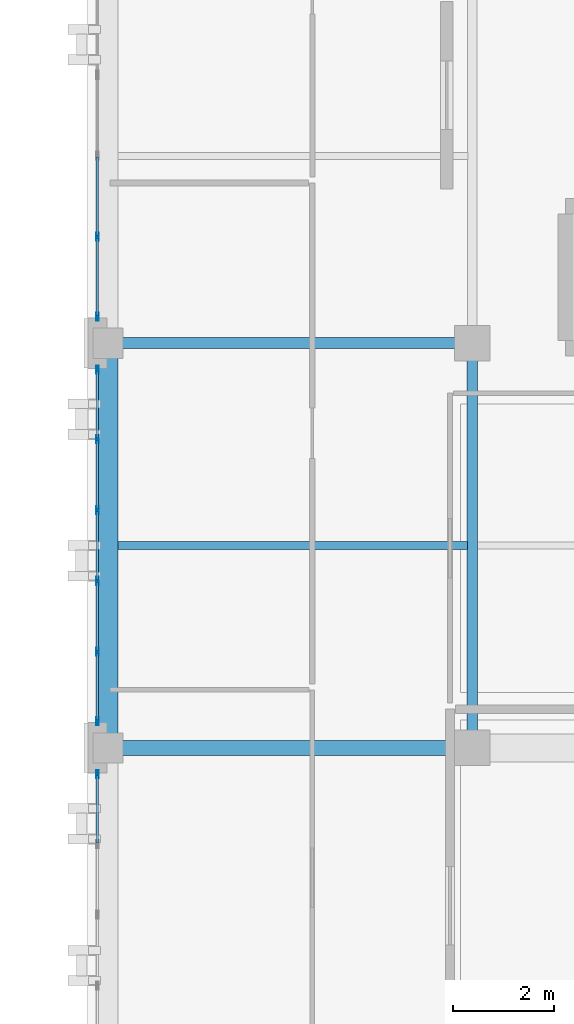
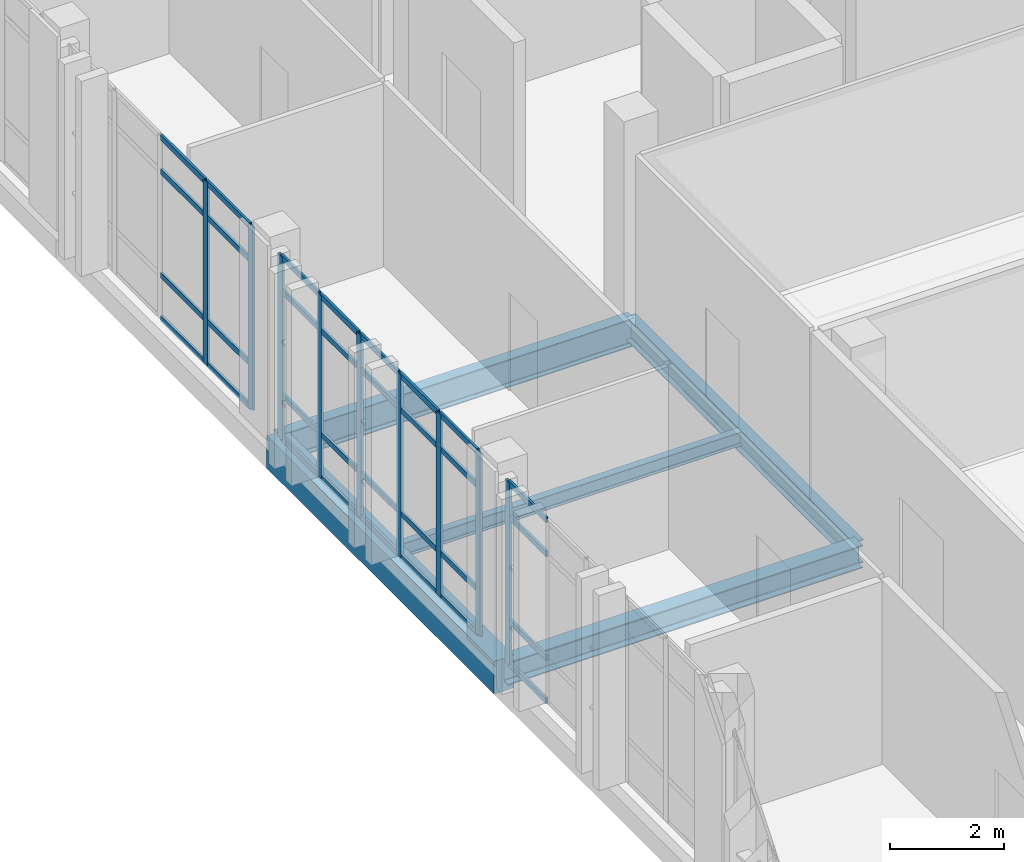
# One storey, part 21 of 90: 41 members, 5 beams, 3 elements without a shape of their own.
"""IFC4 building model written with IfcOpenShell, lengths in metres."""

from ifc_helpers import new_model, si_unit, direction, frame, origin, origin_2d, place, context, subcontext, project, spatial, rectangle, hollow_rectangle, i_section, extrude, material, layer, layer_set, material_profile, profile_set, type_object, element, aggregate, save


model = new_model("IFC4")

# Units and contexts
model_context = context("Model", 3, precision=1e-05, world=origin(), true_north=direction((0.0, 1.0)))
body_context = subcontext(model_context, "Body", "Model", "MODEL_VIEW")
ifc_project = project(units=[si_unit("LENGTHUNIT", "METRE"), si_unit("AREAUNIT", "SQUARE_METRE"), si_unit("VOLUMEUNIT", "CUBIC_METRE"), si_unit("PLANEANGLEUNIT", "RADIAN"), si_unit("MASSUNIT", "GRAM", prefix="KILO")], contexts=[model_context])

# Site, building, storey
site_placement = place(None, origin())
site = spatial("IfcSite", under=ifc_project, at=site_placement, CompositionType="ELEMENT")
building_placement = place(site_placement, origin())
building = spatial("IfcBuilding", under=site, at=building_placement, Name="Qalavern Law Courts", CompositionType="ELEMENT")
storey_placement = place(building_placement, frame((0.0, 0.0, 22.800048828125)))
storey = spatial("IfcBuildingStorey", under=building, at=storey_placement, Name="L05", CompositionType="ELEMENT", Elevation=22.800048828125)

# Curtain wall, members
ifc_material_1 = material(Name="Anodised aluminium and insulated glazing", Category="aluminium")
ifc_layer = layer(ifc_material_1, 0.159912109375)
ifc_layer_set = layer_set([ifc_layer], Name="Anodised aluminium and insulated glazing")
curtain_wall_type = type_object("IfcCurtainWallType", Name="ENV-CW-CHAMB", PredefinedType="USERDEFINED", material=ifc_layer_set)
curtain_wall_1_placement = place(storey_placement, origin())
curtain_wall_1 = element("IfcCurtainWall", 1, at=curtain_wall_1_placement, inside=storey, type_object=curtain_wall_type, Name="V4 unitised curtain wall L05 west 3", ObjectType="UNITISED CURTAIN WALL", PredefinedType="USERDEFINED")
ifc_material_2 = material(Name="Anodised aluminium", Category="aluminium")
ifc_material_profile_1 = material_profile(ifc_material_2, hollow_rectangle(XDim=0.048095703125, YDim=0.159912109375, WallThickness=0.00390625, at=origin_2d()), Name="ALU MULLION 48x160")
ifc_profile_set_1 = profile_set([ifc_material_profile_1], Name="Anodised aluminium")
member_type_1 = type_object("IfcMemberType", Name="ENV-CWM-48x160", PredefinedType="MULLION", material=ifc_profile_set_1)
member_1_placement = place(storey_placement, frame((84.392578125, 67.5, 0.0), z_axis=(0.0, 0.0, 1.0), x_axis=(1.0, 0.0, 0.0)))
member_1 = element("IfcMember", 2, at=member_1_placement, type_object=member_type_1, Name="CW-04 mullion 4", PredefinedType="MULLION", context=body_context, shape_type="SweptSolid", body=[
    extrude(hollow_rectangle(XDim=0.048095703125, YDim=0.159912109375, WallThickness=0.00390625, at=origin_2d()), origin(), (0.0, 0.0, 1.0), 3.929931640625),
])
member_2_placement = place(storey_placement, frame((84.392578125, 65.924072265625, 0.0), z_axis=(0.0, 0.0, 1.0), x_axis=(1.0, 0.0, 0.0)))
member_2 = element("IfcMember", 3, at=member_2_placement, type_object=member_type_1, Name="CW-04 mullion 5", PredefinedType="MULLION", context=body_context, shape_type="SweptSolid", body=[
    extrude(hollow_rectangle(XDim=0.048095703125, YDim=0.159912109375, WallThickness=0.00390625, at=origin_2d()), origin(), (0.0, 0.0, 1.0), 3.929931640625),
])

curtain_wall_2_placement = place(storey_placement, origin())
curtain_wall_2 = element("IfcCurtainWall", 4, at=curtain_wall_2_placement, inside=storey, type_object=curtain_wall_type, Name="V4 unitised curtain wall L05 west 4", ObjectType="UNITISED CURTAIN WALL", PredefinedType="USERDEFINED")
member_3_placement = place(storey_placement, frame((84.392578125, 64.8759765625, 0.0), z_axis=(0.0, 0.0, 1.0), x_axis=(1.0, 0.0, 0.0)))
member_3 = element("IfcMember", 5, at=member_3_placement, type_object=member_type_1, Name="CW-04 mullion 1", PredefinedType="MULLION", context=body_context, shape_type="SweptSolid", body=[
    extrude(hollow_rectangle(XDim=0.048095703125, YDim=0.159912109375, WallThickness=0.00390625, at=origin_2d()), origin(), (0.0, 0.0, 1.0), 3.929931640625),
])
member_4_placement = place(storey_placement, frame((84.392578125, 63.5, 0.0), z_axis=(0.0, 0.0, 1.0), x_axis=(1.0, 0.0, 0.0)))
member_4 = element("IfcMember", 6, at=member_4_placement, type_object=member_type_1, Name="CW-04 mullion 2", PredefinedType="MULLION", context=body_context, shape_type="SweptSolid", body=[
    extrude(hollow_rectangle(XDim=0.048095703125, YDim=0.159912109375, WallThickness=0.00390625, at=origin_2d()), origin(), (0.0, 0.0, 1.0), 3.929931640625),
])
member_5_placement = place(storey_placement, frame((84.392578125, 62.10009765625, 0.0), z_axis=(0.0, 0.0, 1.0), x_axis=(1.0, 0.0, 0.0)))
member_5 = element("IfcMember", 7, at=member_5_placement, type_object=member_type_1, Name="CW-04 mullion 3", PredefinedType="MULLION", context=body_context, shape_type="SweptSolid", body=[
    extrude(hollow_rectangle(XDim=0.048095703125, YDim=0.159912109375, WallThickness=0.00390625, at=origin_2d()), origin(), (0.0, 0.0, 1.0), 3.929931640625),
])
member_6_placement = place(storey_placement, frame((84.392578125, 60.699951171875, 0.0), z_axis=(0.0, 0.0, 1.0), x_axis=(1.0, 0.0, 0.0)))
member_6 = element("IfcMember", 8, at=member_6_placement, type_object=member_type_1, Name="CW-04 mullion 4", PredefinedType="MULLION", context=body_context, shape_type="SweptSolid", body=[
    extrude(hollow_rectangle(XDim=0.048095703125, YDim=0.159912109375, WallThickness=0.00390625, at=origin_2d()), origin(), (0.0, 0.0, 1.0), 3.929931640625),
])
member_7_placement = place(storey_placement, frame((84.392578125, 59.300048828125, 0.0), z_axis=(0.0, 0.0, 1.0), x_axis=(1.0, 0.0, 0.0)))
member_7 = element("IfcMember", 9, at=member_7_placement, type_object=member_type_1, Name="CW-04 mullion 5", PredefinedType="MULLION", context=body_context, shape_type="SweptSolid", body=[
    extrude(hollow_rectangle(XDim=0.048095703125, YDim=0.159912109375, WallThickness=0.00390625, at=origin_2d()), origin(), (0.0, 0.0, 1.0), 3.929931640625),
])
member_8_placement = place(storey_placement, frame((84.392578125, 57.924072265625, 0.0), z_axis=(0.0, 0.0, 1.0), x_axis=(1.0, 0.0, 0.0)))
member_8 = element("IfcMember", 10, at=member_8_placement, type_object=member_type_1, Name="CW-04 mullion 6", PredefinedType="MULLION", context=body_context, shape_type="SweptSolid", body=[
    extrude(hollow_rectangle(XDim=0.048095703125, YDim=0.159912109375, WallThickness=0.00390625, at=origin_2d()), origin(), (0.0, 0.0, 1.0), 3.929931640625),
])

# Curtain wall, member
curtain_wall_3_placement = place(storey_placement, origin())
curtain_wall_3 = element("IfcCurtainWall", 11, at=curtain_wall_3_placement, inside=storey, type_object=curtain_wall_type, Name="V4 unitised curtain wall L05 west 5", ObjectType="UNITISED CURTAIN WALL", PredefinedType="USERDEFINED")
member_9_placement = place(storey_placement, frame((84.392578125, 56.8759765625, 0.0), z_axis=(0.0, 0.0, 1.0), x_axis=(1.0, 0.0, 0.0)))
member_9 = element("IfcMember", 12, at=member_9_placement, type_object=member_type_1, Name="CW-04 mullion 1", PredefinedType="MULLION", context=body_context, shape_type="SweptSolid", body=[
    extrude(hollow_rectangle(XDim=0.048095703125, YDim=0.159912109375, WallThickness=0.00390625, at=origin_2d()), origin(), (0.0, 0.0, 1.0), 3.929931640625),
])

# Member
ifc_material_profile_2 = material_profile(ifc_material_2, hollow_rectangle(XDim=0.048095703125, YDim=0.1201171875, WallThickness=0.00390625, at=origin_2d()), Name="ALU TRANSOM 48x120")
ifc_profile_set_2 = profile_set([ifc_material_profile_2], Name="Anodised aluminium")
member_type_2 = type_object("IfcMemberType", Name="ENV-CWT-48x120", PredefinedType="USERDEFINED", material=ifc_profile_set_2)
member_10_placement = place(storey_placement, frame((84.392578125, 69.075927734375, 0.02392578125), z_axis=(0.0, -1.0, 0.0), x_axis=(1.0, 0.0, 0.0)))
member_10 = element("IfcMember", 13, at=member_10_placement, type_object=member_type_2, Name="CW-04 transom 3.1", ObjectType="TRANSOM", PredefinedType="USERDEFINED", context=body_context, shape_type="SweptSolid", body=[
    extrude(hollow_rectangle(XDim=0.048095703125, YDim=0.1201171875, WallThickness=0.00390625, at=origin_2d()), origin(), (0.0, 0.0, 1.0), 1.552001953125),
])

member_11_placement = place(storey_placement, frame((84.392578125, 69.075927734375, 0.949951171875), z_axis=(0.0, -1.0, 0.0), x_axis=(1.0, 0.0, 0.0)))
member_11 = element("IfcMember", 14, at=member_11_placement, type_object=member_type_2, Name="CW-04 transom 3.2", ObjectType="TRANSOM", PredefinedType="USERDEFINED", context=body_context, shape_type="SweptSolid", body=[
    extrude(hollow_rectangle(XDim=0.048095703125, YDim=0.1201171875, WallThickness=0.00390625, at=origin_2d()), origin(), (0.0, 0.0, 1.0), 1.552001953125),
])

member_12_placement = place(storey_placement, frame((84.392578125, 69.075927734375, 3.179931640625), z_axis=(0.0, -1.0, 0.0), x_axis=(1.0, 0.0, 0.0)))
member_12 = element("IfcMember", 15, at=member_12_placement, type_object=member_type_2, Name="CW-04 transom 3.3", ObjectType="TRANSOM", PredefinedType="USERDEFINED", context=body_context, shape_type="SweptSolid", body=[
    extrude(hollow_rectangle(XDim=0.048095703125, YDim=0.1201171875, WallThickness=0.00390625, at=origin_2d()), origin(), (0.0, 0.0, 1.0), 1.552001953125),
])

member_13_placement = place(storey_placement, frame((84.392578125, 69.075927734375, 3.906005859375), z_axis=(0.0, -1.0, 0.0), x_axis=(1.0, 0.0, 0.0)))
member_13 = element("IfcMember", 16, at=member_13_placement, type_object=member_type_2, Name="CW-04 transom 3.4", ObjectType="TRANSOM", PredefinedType="USERDEFINED", context=body_context, shape_type="SweptSolid", body=[
    extrude(hollow_rectangle(XDim=0.048095703125, YDim=0.1201171875, WallThickness=0.00390625, at=origin_2d()), origin(), (0.0, 0.0, 1.0), 1.552001953125),
])

member_14_placement = place(storey_placement, frame((84.392578125, 67.47607421875, 0.02392578125), z_axis=(0.0, -1.0, 0.0), x_axis=(1.0, 0.0, 0.0)))
member_14 = element("IfcMember", 17, at=member_14_placement, type_object=member_type_2, Name="CW-04 transom 4.1", ObjectType="TRANSOM", PredefinedType="USERDEFINED", context=body_context, shape_type="SweptSolid", body=[
    extrude(hollow_rectangle(XDim=0.048095703125, YDim=0.1201171875, WallThickness=0.00390625, at=origin_2d()), origin(), (0.0, 0.0, 1.0), 1.528076171875),
])

member_15_placement = place(storey_placement, frame((84.392578125, 67.47607421875, 0.949951171875), z_axis=(0.0, -1.0, 0.0), x_axis=(1.0, 0.0, 0.0)))
member_15 = element("IfcMember", 18, at=member_15_placement, type_object=member_type_2, Name="CW-04 transom 4.2", ObjectType="TRANSOM", PredefinedType="USERDEFINED", context=body_context, shape_type="SweptSolid", body=[
    extrude(hollow_rectangle(XDim=0.048095703125, YDim=0.1201171875, WallThickness=0.00390625, at=origin_2d()), origin(), (0.0, 0.0, 1.0), 1.528076171875),
])

member_16_placement = place(storey_placement, frame((84.392578125, 67.47607421875, 3.179931640625), z_axis=(0.0, -1.0, 0.0), x_axis=(1.0, 0.0, 0.0)))
member_16 = element("IfcMember", 19, at=member_16_placement, type_object=member_type_2, Name="CW-04 transom 4.3", ObjectType="TRANSOM", PredefinedType="USERDEFINED", context=body_context, shape_type="SweptSolid", body=[
    extrude(hollow_rectangle(XDim=0.048095703125, YDim=0.1201171875, WallThickness=0.00390625, at=origin_2d()), origin(), (0.0, 0.0, 1.0), 1.528076171875),
])

member_17_placement = place(storey_placement, frame((84.392578125, 67.47607421875, 3.906005859375), z_axis=(0.0, -1.0, 0.0), x_axis=(1.0, 0.0, 0.0)))
member_17 = element("IfcMember", 20, at=member_17_placement, type_object=member_type_2, Name="CW-04 transom 4.4", ObjectType="TRANSOM", PredefinedType="USERDEFINED", context=body_context, shape_type="SweptSolid", body=[
    extrude(hollow_rectangle(XDim=0.048095703125, YDim=0.1201171875, WallThickness=0.00390625, at=origin_2d()), origin(), (0.0, 0.0, 1.0), 1.528076171875),
])

aggregate(curtain_wall_1, [member_1, member_2, member_10, member_11, member_12, member_13, member_14, member_15, member_16, member_17])

member_18_placement = place(storey_placement, frame((84.392578125, 64.85205078125, 0.02392578125), z_axis=(0.0, -1.0, 0.0), x_axis=(1.0, 0.0, 0.0)))
member_18 = element("IfcMember", 21, at=member_18_placement, type_object=member_type_2, Name="CW-04 transom 1.1", ObjectType="TRANSOM", PredefinedType="USERDEFINED", context=body_context, shape_type="SweptSolid", body=[
    extrude(hollow_rectangle(XDim=0.048095703125, YDim=0.1201171875, WallThickness=0.00390625, at=origin_2d()), origin(), (0.0, 0.0, 1.0), 1.328125),
])

member_19_placement = place(storey_placement, frame((84.392578125, 64.85205078125, 0.949951171875), z_axis=(0.0, -1.0, 0.0), x_axis=(1.0, 0.0, 0.0)))
member_19 = element("IfcMember", 22, at=member_19_placement, type_object=member_type_2, Name="CW-04 transom 1.2", ObjectType="TRANSOM", PredefinedType="USERDEFINED", context=body_context, shape_type="SweptSolid", body=[
    extrude(hollow_rectangle(XDim=0.048095703125, YDim=0.1201171875, WallThickness=0.00390625, at=origin_2d()), origin(), (0.0, 0.0, 1.0), 1.328125),
])

member_20_placement = place(storey_placement, frame((84.392578125, 64.85205078125, 3.179931640625), z_axis=(0.0, -1.0, 0.0), x_axis=(1.0, 0.0, 0.0)))
member_20 = element("IfcMember", 23, at=member_20_placement, type_object=member_type_2, Name="CW-04 transom 1.3", ObjectType="TRANSOM", PredefinedType="USERDEFINED", context=body_context, shape_type="SweptSolid", body=[
    extrude(hollow_rectangle(XDim=0.048095703125, YDim=0.1201171875, WallThickness=0.00390625, at=origin_2d()), origin(), (0.0, 0.0, 1.0), 1.328125),
])

member_21_placement = place(storey_placement, frame((84.392578125, 64.85205078125, 3.906005859375), z_axis=(0.0, -1.0, 0.0), x_axis=(1.0, 0.0, 0.0)))
member_21 = element("IfcMember", 24, at=member_21_placement, type_object=member_type_2, Name="CW-04 transom 1.4", ObjectType="TRANSOM", PredefinedType="USERDEFINED", context=body_context, shape_type="SweptSolid", body=[
    extrude(hollow_rectangle(XDim=0.048095703125, YDim=0.1201171875, WallThickness=0.00390625, at=origin_2d()), origin(), (0.0, 0.0, 1.0), 1.328125),
])

member_22_placement = place(storey_placement, frame((84.392578125, 63.47607421875, 0.02392578125), z_axis=(0.0, -1.0, 0.0), x_axis=(1.0, 0.0, 0.0)))
member_22 = element("IfcMember", 25, at=member_22_placement, type_object=member_type_2, Name="CW-04 transom 2.1", ObjectType="TRANSOM", PredefinedType="USERDEFINED", context=body_context, shape_type="SweptSolid", body=[
    extrude(hollow_rectangle(XDim=0.048095703125, YDim=0.1201171875, WallThickness=0.00390625, at=origin_2d()), origin(), (0.0, 0.0, 1.0), 1.35205078125),
])

member_23_placement = place(storey_placement, frame((84.392578125, 63.47607421875, 0.949951171875), z_axis=(0.0, -1.0, 0.0), x_axis=(1.0, 0.0, 0.0)))
member_23 = element("IfcMember", 26, at=member_23_placement, type_object=member_type_2, Name="CW-04 transom 2.2", ObjectType="TRANSOM", PredefinedType="USERDEFINED", context=body_context, shape_type="SweptSolid", body=[
    extrude(hollow_rectangle(XDim=0.048095703125, YDim=0.1201171875, WallThickness=0.00390625, at=origin_2d()), origin(), (0.0, 0.0, 1.0), 1.35205078125),
])

member_24_placement = place(storey_placement, frame((84.392578125, 63.47607421875, 3.179931640625), z_axis=(0.0, -1.0, 0.0), x_axis=(1.0, 0.0, 0.0)))
member_24 = element("IfcMember", 27, at=member_24_placement, type_object=member_type_2, Name="CW-04 transom 2.3", ObjectType="TRANSOM", PredefinedType="USERDEFINED", context=body_context, shape_type="SweptSolid", body=[
    extrude(hollow_rectangle(XDim=0.048095703125, YDim=0.1201171875, WallThickness=0.00390625, at=origin_2d()), origin(), (0.0, 0.0, 1.0), 1.35205078125),
])

member_25_placement = place(storey_placement, frame((84.392578125, 63.47607421875, 3.906005859375), z_axis=(0.0, -1.0, 0.0), x_axis=(1.0, 0.0, 0.0)))
member_25 = element("IfcMember", 28, at=member_25_placement, type_object=member_type_2, Name="CW-04 transom 2.4", ObjectType="TRANSOM", PredefinedType="USERDEFINED", context=body_context, shape_type="SweptSolid", body=[
    extrude(hollow_rectangle(XDim=0.048095703125, YDim=0.1201171875, WallThickness=0.00390625, at=origin_2d()), origin(), (0.0, 0.0, 1.0), 1.35205078125),
])

member_26_placement = place(storey_placement, frame((84.392578125, 62.075927734375, 0.02392578125), z_axis=(0.0, -1.0, 0.0), x_axis=(1.0, 0.0, 0.0)))
member_26 = element("IfcMember", 29, at=member_26_placement, type_object=member_type_2, Name="CW-04 transom 3.1", ObjectType="TRANSOM", PredefinedType="USERDEFINED", context=body_context, shape_type="SweptSolid", body=[
    extrude(hollow_rectangle(XDim=0.048095703125, YDim=0.1201171875, WallThickness=0.00390625, at=origin_2d()), origin(), (0.0, 0.0, 1.0), 1.351806640625),
])

member_27_placement = place(storey_placement, frame((84.392578125, 62.075927734375, 0.949951171875), z_axis=(0.0, -1.0, 0.0), x_axis=(1.0, 0.0, 0.0)))
member_27 = element("IfcMember", 30, at=member_27_placement, type_object=member_type_2, Name="CW-04 transom 3.2", ObjectType="TRANSOM", PredefinedType="USERDEFINED", context=body_context, shape_type="SweptSolid", body=[
    extrude(hollow_rectangle(XDim=0.048095703125, YDim=0.1201171875, WallThickness=0.00390625, at=origin_2d()), origin(), (0.0, 0.0, 1.0), 1.351806640625),
])

member_28_placement = place(storey_placement, frame((84.392578125, 62.075927734375, 3.179931640625), z_axis=(0.0, -1.0, 0.0), x_axis=(1.0, 0.0, 0.0)))
member_28 = element("IfcMember", 31, at=member_28_placement, type_object=member_type_2, Name="CW-04 transom 3.3", ObjectType="TRANSOM", PredefinedType="USERDEFINED", context=body_context, shape_type="SweptSolid", body=[
    extrude(hollow_rectangle(XDim=0.048095703125, YDim=0.1201171875, WallThickness=0.00390625, at=origin_2d()), origin(), (0.0, 0.0, 1.0), 1.351806640625),
])

member_29_placement = place(storey_placement, frame((84.392578125, 62.075927734375, 3.906005859375), z_axis=(0.0, -1.0, 0.0), x_axis=(1.0, 0.0, 0.0)))
member_29 = element("IfcMember", 32, at=member_29_placement, type_object=member_type_2, Name="CW-04 transom 3.4", ObjectType="TRANSOM", PredefinedType="USERDEFINED", context=body_context, shape_type="SweptSolid", body=[
    extrude(hollow_rectangle(XDim=0.048095703125, YDim=0.1201171875, WallThickness=0.00390625, at=origin_2d()), origin(), (0.0, 0.0, 1.0), 1.351806640625),
])

member_30_placement = place(storey_placement, frame((84.392578125, 60.676025390625, 0.02392578125), z_axis=(0.0, -1.0, 0.0), x_axis=(1.0, 0.0, 0.0)))
member_30 = element("IfcMember", 33, at=member_30_placement, type_object=member_type_2, Name="CW-04 transom 4.1", ObjectType="TRANSOM", PredefinedType="USERDEFINED", context=body_context, shape_type="SweptSolid", body=[
    extrude(hollow_rectangle(XDim=0.048095703125, YDim=0.1201171875, WallThickness=0.00390625, at=origin_2d()), origin(), (0.0, 0.0, 1.0), 1.35205078125),
])

member_31_placement = place(storey_placement, frame((84.392578125, 60.676025390625, 0.949951171875), z_axis=(0.0, -1.0, 0.0), x_axis=(1.0, 0.0, 0.0)))
member_31 = element("IfcMember", 34, at=member_31_placement, type_object=member_type_2, Name="CW-04 transom 4.2", ObjectType="TRANSOM", PredefinedType="USERDEFINED", context=body_context, shape_type="SweptSolid", body=[
    extrude(hollow_rectangle(XDim=0.048095703125, YDim=0.1201171875, WallThickness=0.00390625, at=origin_2d()), origin(), (0.0, 0.0, 1.0), 1.35205078125),
])

member_32_placement = place(storey_placement, frame((84.392578125, 60.676025390625, 3.179931640625), z_axis=(0.0, -1.0, 0.0), x_axis=(1.0, 0.0, 0.0)))
member_32 = element("IfcMember", 35, at=member_32_placement, type_object=member_type_2, Name="CW-04 transom 4.3", ObjectType="TRANSOM", PredefinedType="USERDEFINED", context=body_context, shape_type="SweptSolid", body=[
    extrude(hollow_rectangle(XDim=0.048095703125, YDim=0.1201171875, WallThickness=0.00390625, at=origin_2d()), origin(), (0.0, 0.0, 1.0), 1.35205078125),
])

member_33_placement = place(storey_placement, frame((84.392578125, 60.676025390625, 3.906005859375), z_axis=(0.0, -1.0, 0.0), x_axis=(1.0, 0.0, 0.0)))
member_33 = element("IfcMember", 36, at=member_33_placement, type_object=member_type_2, Name="CW-04 transom 4.4", ObjectType="TRANSOM", PredefinedType="USERDEFINED", context=body_context, shape_type="SweptSolid", body=[
    extrude(hollow_rectangle(XDim=0.048095703125, YDim=0.1201171875, WallThickness=0.00390625, at=origin_2d()), origin(), (0.0, 0.0, 1.0), 1.35205078125),
])

member_34_placement = place(storey_placement, frame((84.392578125, 59.27587890625, 0.02392578125), z_axis=(0.0, -1.0, 0.0), x_axis=(1.0, 0.0, 0.0)))
member_34 = element("IfcMember", 37, at=member_34_placement, type_object=member_type_2, Name="CW-04 transom 5.1", ObjectType="TRANSOM", PredefinedType="USERDEFINED", context=body_context, shape_type="SweptSolid", body=[
    extrude(hollow_rectangle(XDim=0.048095703125, YDim=0.1201171875, WallThickness=0.00390625, at=origin_2d()), origin(), (0.0, 0.0, 1.0), 1.327880859375),
])

member_35_placement = place(storey_placement, frame((84.392578125, 59.27587890625, 0.949951171875), z_axis=(0.0, -1.0, 0.0), x_axis=(1.0, 0.0, 0.0)))
member_35 = element("IfcMember", 38, at=member_35_placement, type_object=member_type_2, Name="CW-04 transom 5.2", ObjectType="TRANSOM", PredefinedType="USERDEFINED", context=body_context, shape_type="SweptSolid", body=[
    extrude(hollow_rectangle(XDim=0.048095703125, YDim=0.1201171875, WallThickness=0.00390625, at=origin_2d()), origin(), (0.0, 0.0, 1.0), 1.327880859375),
])

member_36_placement = place(storey_placement, frame((84.392578125, 59.27587890625, 3.179931640625), z_axis=(0.0, -1.0, 0.0), x_axis=(1.0, 0.0, 0.0)))
member_36 = element("IfcMember", 39, at=member_36_placement, type_object=member_type_2, Name="CW-04 transom 5.3", ObjectType="TRANSOM", PredefinedType="USERDEFINED", context=body_context, shape_type="SweptSolid", body=[
    extrude(hollow_rectangle(XDim=0.048095703125, YDim=0.1201171875, WallThickness=0.00390625, at=origin_2d()), origin(), (0.0, 0.0, 1.0), 1.327880859375),
])

member_37_placement = place(storey_placement, frame((84.392578125, 59.27587890625, 3.906005859375), z_axis=(0.0, -1.0, 0.0), x_axis=(1.0, 0.0, 0.0)))
member_37 = element("IfcMember", 40, at=member_37_placement, type_object=member_type_2, Name="CW-04 transom 5.4", ObjectType="TRANSOM", PredefinedType="USERDEFINED", context=body_context, shape_type="SweptSolid", body=[
    extrude(hollow_rectangle(XDim=0.048095703125, YDim=0.1201171875, WallThickness=0.00390625, at=origin_2d()), origin(), (0.0, 0.0, 1.0), 1.327880859375),
])

aggregate(curtain_wall_2, [member_3, member_4, member_5, member_6, member_7, member_8, member_18, member_19, member_20, member_21, member_22, member_23, member_24, member_25, member_26, member_27, member_28, member_29, member_30, member_31, member_32, member_33, member_34, member_35, member_36, member_37])

member_38_placement = place(storey_placement, frame((84.392578125, 56.85205078125, 0.02392578125), z_axis=(0.0, -1.0, 0.0), x_axis=(1.0, 0.0, 0.0)))
member_38 = element("IfcMember", 41, at=member_38_placement, type_object=member_type_2, Name="CW-04 transom 1.1", ObjectType="TRANSOM", PredefinedType="USERDEFINED", context=body_context, shape_type="SweptSolid", body=[
    extrude(hollow_rectangle(XDim=0.048095703125, YDim=0.1201171875, WallThickness=0.00390625, at=origin_2d()), origin(), (0.0, 0.0, 1.0), 1.328125),
])

member_39_placement = place(storey_placement, frame((84.392578125, 56.85205078125, 0.949951171875), z_axis=(0.0, -1.0, 0.0), x_axis=(1.0, 0.0, 0.0)))
member_39 = element("IfcMember", 42, at=member_39_placement, type_object=member_type_2, Name="CW-04 transom 1.2", ObjectType="TRANSOM", PredefinedType="USERDEFINED", context=body_context, shape_type="SweptSolid", body=[
    extrude(hollow_rectangle(XDim=0.048095703125, YDim=0.1201171875, WallThickness=0.00390625, at=origin_2d()), origin(), (0.0, 0.0, 1.0), 1.328125),
])

member_40_placement = place(storey_placement, frame((84.392578125, 56.85205078125, 3.179931640625), z_axis=(0.0, -1.0, 0.0), x_axis=(1.0, 0.0, 0.0)))
member_40 = element("IfcMember", 43, at=member_40_placement, type_object=member_type_2, Name="CW-04 transom 1.3", ObjectType="TRANSOM", PredefinedType="USERDEFINED", context=body_context, shape_type="SweptSolid", body=[
    extrude(hollow_rectangle(XDim=0.048095703125, YDim=0.1201171875, WallThickness=0.00390625, at=origin_2d()), origin(), (0.0, 0.0, 1.0), 1.328125),
])

member_41_placement = place(storey_placement, frame((84.392578125, 56.85205078125, 3.906005859375), z_axis=(0.0, -1.0, 0.0), x_axis=(1.0, 0.0, 0.0)))
member_41 = element("IfcMember", 44, at=member_41_placement, type_object=member_type_2, Name="CW-04 transom 1.4", ObjectType="TRANSOM", PredefinedType="USERDEFINED", context=body_context, shape_type="SweptSolid", body=[
    extrude(hollow_rectangle(XDim=0.048095703125, YDim=0.1201171875, WallThickness=0.00390625, at=origin_2d()), origin(), (0.0, 0.0, 1.0), 1.328125),
])

aggregate(curtain_wall_3, [member_9, member_38, member_39, member_40, member_41])

# Beams
ifc_material_3 = material(Name="Steel S355", Category="steel")
ifc_material_profile_3 = material_profile(ifc_material_3, i_section(OverallWidth=0.300048828125, OverallDepth=0.489990234375, WebThickness=0.011962890625, FlangeThickness=0.02294921875, FilletRadius=0.027099609375, at=origin_2d()), Name="HEA 500")
ifc_profile_set_3 = profile_set([ifc_material_profile_3], Name="Steel S355")
beam_type_1 = type_object("IfcBeamType", Name="STR-BM-HEA500", PredefinedType="BEAM", material=ifc_profile_set_3)
beam_1_placement = place(storey_placement, frame((84.60009765625, 57.39990234375, -0.52001953125), z_axis=(1.0, 0.0, 0.0), x_axis=(0.0, 1.0, 0.0)))
element("IfcBeam", 45, at=beam_1_placement, inside=storey, type_object=beam_type_1, Name="V4 X-beam 3-1 L05", PredefinedType="BEAM", context=body_context, shape_type="SweptSolid", body=[
    extrude(i_section(OverallWidth=0.300048828125, OverallDepth=0.489990234375, WebThickness=0.011962890625, FlangeThickness=0.02294921875, FilletRadius=0.027099609375, at=origin_2d()), origin(), (0.0, 0.0, 1.0), 7.199951171875),
])
ifc_material_profile_4 = material_profile(ifc_material_3, i_section(OverallWidth=0.199951171875, OverallDepth=0.5, WebThickness=0.01025390625, FlangeThickness=0.01611328125, FilletRadius=0.02099609375, at=origin_2d()), Name="IPE 500")
ifc_profile_set_4 = profile_set([ifc_material_profile_4], Name="Steel S355")
beam_type_2 = type_object("IfcBeamType", Name="STR-BM-IPE500", PredefinedType="BEAM", material=ifc_profile_set_4)
beam_2_placement = place(storey_placement, frame((91.800048828125, 57.39990234375, -0.525146484375), z_axis=(0.0, 1.0, 0.0), x_axis=(-1.0, 0.0, 0.0)))
element("IfcBeam", 46, at=beam_2_placement, inside=storey, type_object=beam_type_2, Name="V4 Y-beam 2-2 L05", PredefinedType="BEAM", context=body_context, shape_type="SweptSolid", body=[
    extrude(i_section(OverallWidth=0.199951171875, OverallDepth=0.5, WebThickness=0.01025390625, FlangeThickness=0.01611328125, FilletRadius=0.02099609375, at=origin_2d()), origin(), (0.0, 0.0, 1.0), 8.0),
])
ifc_material_profile_5 = material_profile(ifc_material_3, i_section(OverallWidth=0.219970703125, OverallDepth=0.60009765625, WebThickness=0.011962890625, FlangeThickness=0.01904296875, FilletRadius=0.02392578125, at=origin_2d()), Name="IPE 600")
ifc_profile_set_5 = profile_set([ifc_material_profile_5], Name="Steel S355")
beam_type_3 = type_object("IfcBeamType", Name="STR-BM-IPE600", PredefinedType="BEAM", material=ifc_profile_set_5)
beam_3_placement = place(storey_placement, frame((84.60009765625, 65.39990234375, -0.574951171875), z_axis=(1.0, 0.0, 0.0), x_axis=(0.0, 1.0, 0.0)))
element("IfcBeam", 47, at=beam_3_placement, inside=storey, type_object=beam_type_3, Name="V4 X-beam 4-1 L05", PredefinedType="BEAM", context=body_context, shape_type="SweptSolid", body=[
    extrude(i_section(OverallWidth=0.219970703125, OverallDepth=0.60009765625, WebThickness=0.011962890625, FlangeThickness=0.01904296875, FilletRadius=0.02392578125, at=origin_2d()), origin(), (0.0, 0.0, 1.0), 7.199951171875),
])
ifc_material_profile_6 = material_profile(ifc_material_3, i_section(OverallWidth=0.14990234375, OverallDepth=0.300048828125, WebThickness=0.007080078125, FlangeThickness=0.0107421875, FilletRadius=0.014892578125, at=origin_2d()), Name="IPE 300")
ifc_profile_set_6 = profile_set([ifc_material_profile_6], Name="Steel S355")
beam_type_4 = type_object("IfcBeamType", Name="STR-JST-IPE300", PredefinedType="JOIST", material=ifc_profile_set_6)
beam_4_placement = place(storey_placement, frame((84.798095703125, 61.39990234375, -0.425048828125), z_axis=(1.0, 0.0, 0.0), x_axis=(0.0, 1.0, 0.0)))
element("IfcBeam", 48, at=beam_4_placement, inside=storey, type_object=beam_type_4, Name="V4 secondary joist 1.3.1 L05", PredefinedType="JOIST", context=body_context, shape_type="SweptSolid", body=[
    extrude(i_section(OverallWidth=0.14990234375, OverallDepth=0.300048828125, WebThickness=0.007080078125, FlangeThickness=0.0107421875, FilletRadius=0.014892578125, at=origin_2d()), origin(), (0.0, 0.0, 1.0), 6.90380859375),
])
ifc_material_4 = material(Name="Concrete C40/50", Category="concrete")
ifc_material_profile_7 = material_profile(ifc_material_4, rectangle(XDim=0.39990234375, YDim=0.699951171875, at=origin_2d()), Name="RC 400x700")
ifc_profile_set_7 = profile_set([ifc_material_profile_7], Name="Concrete C40/50")
beam_type_5 = type_object("IfcBeamType", Name="STR-SP-RC400x700", PredefinedType="SPANDREL", material=ifc_profile_set_7)
beam_5_placement = place(storey_placement, frame((84.60009765625, 57.39990234375, -0.625), z_axis=(0.0, 1.0, 0.0), x_axis=(-1.0, 0.0, 0.0)))
element("IfcBeam", 49, at=beam_5_placement, inside=storey, type_object=beam_type_5, Name="V4 Y-beam 1-3 L05", PredefinedType="SPANDREL", context=body_context, shape_type="SweptSolid", body=[
    extrude(rectangle(XDim=0.39990234375, YDim=0.699951171875, at=origin_2d()), origin(), (0.0, 0.0, 1.0), 8.0),
])

save(model, "model.ifc")
